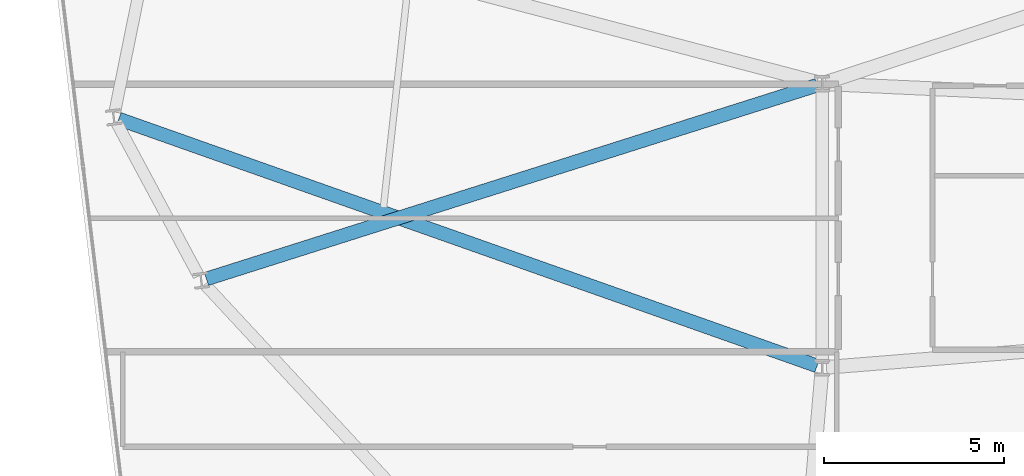
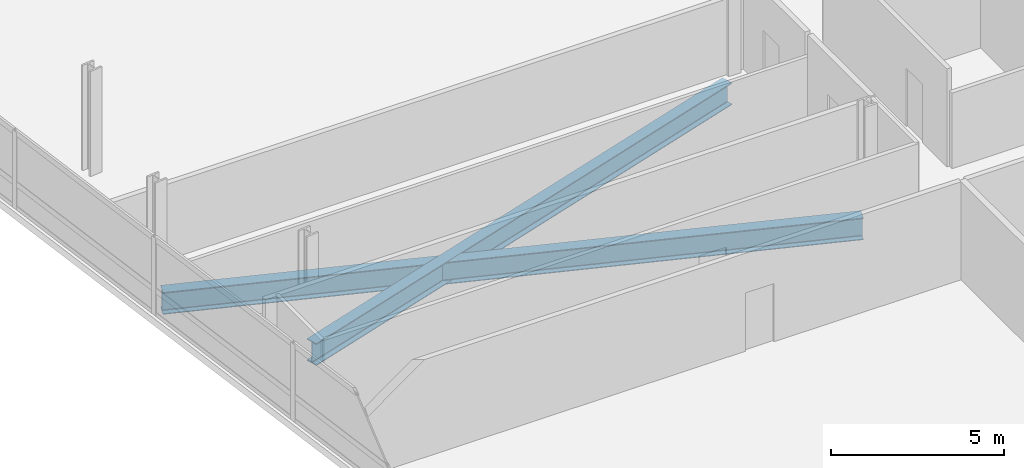
# One storey, part 5 of 23: 2 beams.
"""IFC4 building model written with IfcOpenShell, lengths in metres."""

from ifc_helpers import new_model, si_unit, direction, frame, origin, origin_2d, place, context, subcontext, project, spatial, i_section, extrude, material, material_profile, profile_set, type_object, element, save


model = new_model("IFC4")

# Units and contexts
model_context = context("Model", 3, precision=1e-05, world=origin(), true_north=direction((0.0, 1.0)))
body_context = subcontext(model_context, "Body", "Model", "MODEL_VIEW")
ifc_project = project(units=[si_unit("LENGTHUNIT", "METRE"), si_unit("AREAUNIT", "SQUARE_METRE"), si_unit("VOLUMEUNIT", "CUBIC_METRE"), si_unit("PLANEANGLEUNIT", "RADIAN"), si_unit("MASSUNIT", "GRAM", prefix="KILO")], contexts=[model_context])

# Site, building, storey
site_placement = place(None, origin())
site = spatial("IfcSite", under=ifc_project, at=site_placement, CompositionType="ELEMENT")
building_placement = place(site_placement, origin())
building = spatial("IfcBuilding", under=site, at=building_placement, Name="Varnelok Gate Tower", CompositionType="ELEMENT")
storey_placement = place(building_placement, frame((0.0, 0.0, 182.0)))
storey = spatial("IfcBuildingStorey", under=building, at=storey_placement, Name="L46", CompositionType="ELEMENT", Elevation=182.0)

# Beams
ifc_material = material(Name="Structural Steel ASTM A992 Grade 50", Category="steel")
ifc_material_profile = material_profile(ifc_material, i_section(OverallWidth=0.381103515625, OverallDepth=0.77294921875, WebThickness=0.0166015625, FlangeThickness=0.027099609375, FilletRadius=0.02197265625, at=origin_2d()), Name="W30X173")
ifc_profile_set = profile_set([ifc_material_profile], Name="Structural Steel ASTM A992 Grade 50")
beam_type = type_object("IfcBeamType", Name="BM-PRI-W30X173", PredefinedType="BEAM", material=ifc_profile_set)
beam_1_placement = place(storey_placement, frame((24.258544921875, 18.85009765625, -0.636474609375), z_axis=(-0.942837769657, 0.333252066923, 0.0), x_axis=(-0.333252066923, -0.942837769657, 0.0)))
element("IfcBeam", 1, at=beam_1_placement, inside=storey, type_object=beam_type, Name="L46 Radial Floor Girder 15", PredefinedType="BEAM", context=body_context, shape_type="SweptSolid", body=[
    extrude(i_section(OverallWidth=0.381103515625, OverallDepth=0.77294921875, WebThickness=0.0166015625, FlangeThickness=0.027099609375, FilletRadius=0.02197265625, at=origin_2d()), origin(), (0.0, 0.0, 1.0), 20.5458984375),
])
beam_2_placement = place(storey_placement, frame((24.257080078125, 26.634521484375, -0.636474609375), z_axis=(-0.953202154823, -0.302333676657, 0.0), x_axis=(0.302333676657, -0.953202154823, 0.0)))
element("IfcBeam", 2, at=beam_2_placement, inside=storey, type_object=beam_type, Name="L46 Radial Floor Girder 16", PredefinedType="BEAM", context=body_context, shape_type="SweptSolid", body=[
    extrude(i_section(OverallWidth=0.381103515625, OverallDepth=0.77294921875, WebThickness=0.0166015625, FlangeThickness=0.027099609375, FilletRadius=0.02197265625, at=origin_2d()), origin(), (0.0, 0.0, 1.0), 17.77099609375),
])

save(model, "model.ifc")
